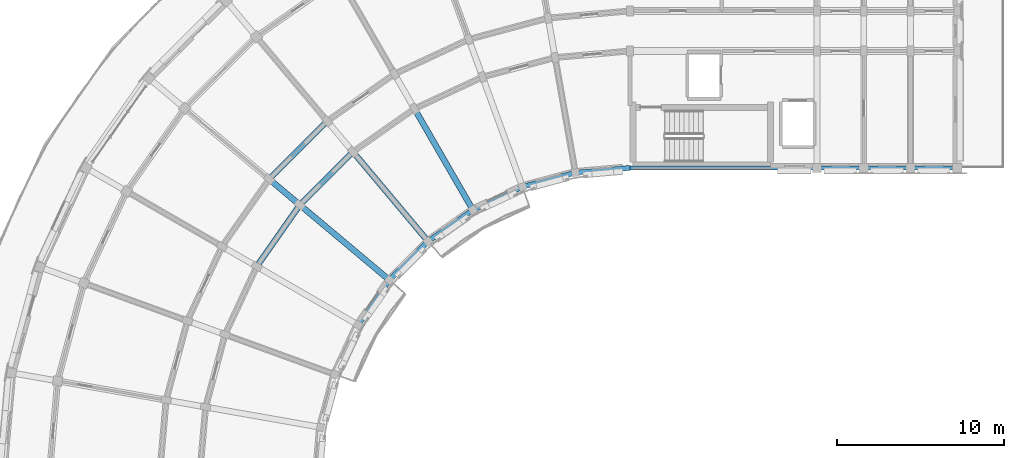
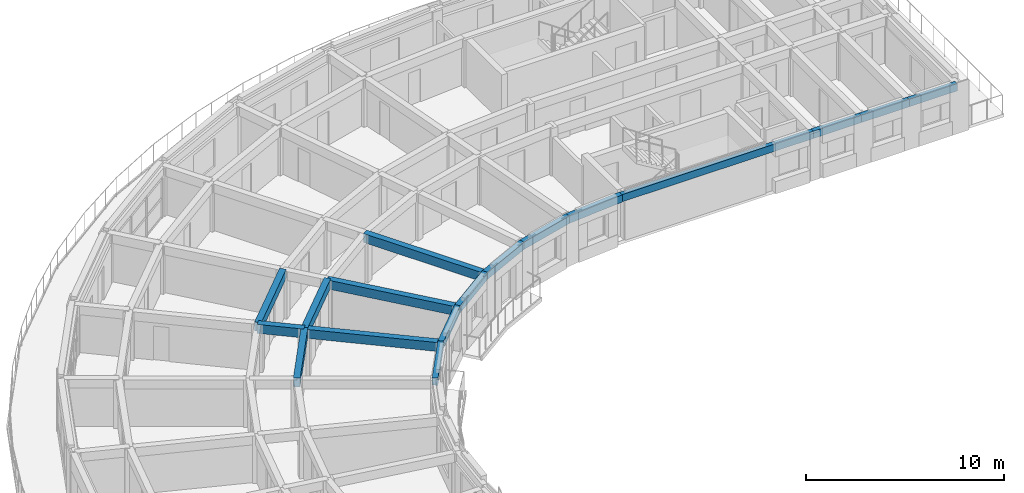
# One storey, part 3 of 16: 17 beams.
"""IFC4 building model written with IfcOpenShell, lengths in metres."""

from ifc_helpers import new_model, si_unit, direction, frame, origin, origin_2d, place, context, subcontext, project, spatial, rectangle, extrude, material, material_profile, profile_set, type_object, element, save


model = new_model("IFC4")

# Units and contexts
model_context = context("Model", 3, precision=1e-05, world=origin(), true_north=direction((0.0, 1.0)))
body_context = subcontext(model_context, "Body", "Model", "MODEL_VIEW")
ifc_project = project(units=[si_unit("LENGTHUNIT", "METRE"), si_unit("AREAUNIT", "SQUARE_METRE"), si_unit("VOLUMEUNIT", "CUBIC_METRE"), si_unit("PLANEANGLEUNIT", "RADIAN"), si_unit("MASSUNIT", "GRAM", prefix="KILO")], contexts=[model_context])

# Site, building, storey
site_placement = place(None, origin())
site = spatial("IfcSite", under=ifc_project, at=site_placement, CompositionType="ELEMENT")
building_placement = place(site_placement, origin())
building = spatial("IfcBuilding", under=site, at=building_placement, Name="Kiranvali Square Residences", CompositionType="ELEMENT")
storey_placement = place(building_placement, frame((0.0, 0.0, 46.5)))
storey = spatial("IfcBuildingStorey", under=building, at=storey_placement, Name="L14", CompositionType="ELEMENT", Elevation=46.5)

# Beams
ifc_material = material(Name="Concrete M40 (40 MPa)", Category="concrete")
ifc_material_profile_1 = material_profile(ifc_material, rectangle(XDim=0.35009765625, YDim=0.550048828125, at=origin_2d()), Name="RC 350x550")
ifc_profile_set_1 = profile_set([ifc_material_profile_1], Name="Concrete M40 (40 MPa)")
beam_type_1 = type_object("IfcBeamType", Name="BM-M40-350x550", PredefinedType="BEAM", material=ifc_profile_set_1)
beam_1_placement = place(storey_placement, frame((31.615966796875, 107.56396484375, 2.655029296875), z_axis=(-0.707106781187, -0.707106781187, 0.0), x_axis=(0.707106781187, -0.707106781187, 0.0)))
element("IfcBeam", 1, at=beam_1_placement, inside=storey, type_object=beam_type_1, Name="L14 beam BM-A-L14-C04-R1", PredefinedType="BEAM", context=body_context, shape_type="SweptSolid", body=[
    extrude(rectangle(XDim=0.35009765625, YDim=0.550048828125, at=origin_2d()), origin(), (0.0, 0.0, 1.0), 4.4970703125),
])
beam_2_placement = place(storey_placement, frame((30.073486328125, 109.40234375, 2.655029296875), z_axis=(-0.707106781187, -0.707106781187, 0.0), x_axis=(0.707106781187, -0.707106781187, 0.0)))
element("IfcBeam", 2, at=beam_2_placement, inside=storey, type_object=beam_type_1, Name="L14 beam BM-A-L14-C04-R2", PredefinedType="BEAM", context=body_context, shape_type="SweptSolid", body=[
    extrude(rectangle(XDim=0.35009765625, YDim=0.550048828125, at=origin_2d()), origin(), (0.0, 0.0, 1.0), 4.91552734375),
])
beam_3_placement = place(storey_placement, frame((28.43603515625, 104.384033203125, 2.655029296875), z_axis=(-0.573571637217, -0.819155404658, 0.0), x_axis=(0.819155404658, -0.573571637217, 0.0)))
element("IfcBeam", 3, at=beam_3_placement, inside=storey, type_object=beam_type_1, Name="L14 beam BM-A-L14-C05-R1", PredefinedType="BEAM", context=body_context, shape_type="SweptSolid", body=[
    extrude(rectangle(XDim=0.35009765625, YDim=0.550048828125, at=origin_2d()), origin(), (0.0, 0.0, 1.0), 4.497314453125),
])
for number, where, z_axis, x_axis, name in (
    (4, (38.800048828125, 104.081298828125, 2.655029296875), (-0.499995173006, 0.866028190633, 0.0), (-0.866028190633, -0.499995173006, 0.0), "L14 beam BM-A-L14-RAD03-01"),
    (5, (36.115478515625, 102.20166015625, 2.655029296875), (-0.642787931032, 0.766044173478, 0.0), (-0.766044173478, -0.642787931032, 0.0), "L14 beam BM-A-L14-RAD04-01"),
    (6, (33.79833984375, 99.884521484375, 2.655029296875), (-0.766044173478, 0.642787931032, 0.0), (-0.642787931032, -0.766044173478, 0.0), "L14 beam BM-A-L14-RAD05-01"),
):
    element("IfcBeam", number, at=place(storey_placement, frame(where, z_axis=z_axis, x_axis=x_axis)), inside=storey, type_object=beam_type_1, Name=name, PredefinedType="BEAM", context=body_context, shape_type="SweptSolid", body=[
        extrude(rectangle(XDim=0.35009765625, YDim=0.550048828125, at=origin_2d()), origin(), (0.0, 0.0, 1.0), 7.0),
    ])
beam_4_placement = place(storey_placement, frame((28.43603515625, 104.384033203125, 2.655029296875), z_axis=(-0.766065493671, 0.642762521781, 0.0), x_axis=(-0.642762521781, -0.766065493671, 0.0)))
element("IfcBeam", 7, at=beam_4_placement, inside=storey, type_object=beam_type_1, Name="L14 beam BM-A-L14-RAD05-12", PredefinedType="BEAM", context=body_context, shape_type="SweptSolid", body=[
    extrude(rectangle(XDim=0.35009765625, YDim=0.550048828125, at=origin_2d()), origin(), (0.0, 0.0, 1.0), 2.399658203125),
])
ifc_material_profile_2 = material_profile(ifc_material, rectangle(XDim=0.25, YDim=0.449951171875, at=origin_2d()), Name="RC 250x450")
ifc_profile_set_2 = profile_set([ifc_material_profile_2], Name="Concrete M40 (40 MPa)")
beam_type_2 = type_object("IfcBeamType", Name="SPN-M40-250x450", PredefinedType="SPANDREL", material=ifc_profile_set_2)
beam_5_placement = place(storey_placement, frame((48.199951171875, 106.60009765625, 2.705078125), z_axis=(1.0, 0.0, 0.0), x_axis=(0.0, 1.0, 0.0)))
element("IfcBeam", 8, at=beam_5_placement, inside=storey, type_object=beam_type_2, Name="L14 beam BM-A-L14-A1U0-R0", PredefinedType="SPANDREL", context=body_context, shape_type="SweptSolid", body=[
    extrude(rectangle(XDim=0.25, YDim=0.449951171875, at=origin_2d()), origin(), (0.0, 0.0, 1.0), 11.199951171875),
])
for number, where, z_axis, x_axis, name in (
    (9, (59.39990234375, 106.60009765625, 2.705078125), (1.0, 0.0, 0.0), (0.0, 1.0, 0.0), "L14 beam BM-A-L14-A1U1-R0"),
    (10, (62.199951171875, 106.60009765625, 2.705078125), (1.0, 0.0, 0.0), (0.0, 1.0, 0.0), "L14 beam BM-A-L14-A1U2-R0"),
    (11, (65.0, 106.60009765625, 2.705078125), (1.0, 0.0, 0.0), (0.0, 1.0, 0.0), "L14 beam BM-A-L14-A1U3-R0"),
):
    element("IfcBeam", number, at=place(storey_placement, frame(where, z_axis=z_axis, x_axis=x_axis)), inside=storey, type_object=beam_type_2, Name=name, PredefinedType="SPANDREL", context=body_context, shape_type="SweptSolid", body=[
        extrude(rectangle(XDim=0.25, YDim=0.449951171875, at=origin_2d()), origin(), (0.0, 0.0, 1.0), 2.800048828125),
    ])
ifc_material_profile_3 = material_profile(ifc_material, rectangle(XDim=0.300048828125, YDim=0.449951171875, at=origin_2d()), Name="RC 300x450")
ifc_profile_set_3 = profile_set([ifc_material_profile_3], Name="Concrete M40 (40 MPa)")
beam_type_3 = type_object("IfcBeamType", Name="SPN-M40-300x450", PredefinedType="SPANDREL", material=ifc_profile_set_3)
beam_6_placement = place(storey_placement, frame((48.199951171875, 106.60009765625, 2.705078125), z_axis=(-0.996194040944, -0.087163253657, 0.0), x_axis=(0.087163253657, -0.996194040944, 0.0)))
element("IfcBeam", 12, at=beam_6_placement, inside=storey, type_object=beam_type_3, Name="L14 beam BM-A-L14-C00-R0", PredefinedType="SPANDREL", context=body_context, shape_type="SweptSolid", body=[
    extrude(rectangle(XDim=0.300048828125, YDim=0.449951171875, at=origin_2d()), origin(), (0.0, 0.0, 1.0), 3.277099609375),
])
beam_7_placement = place(storey_placement, frame((44.935302734375, 106.314453125, 2.705078125), z_axis=(-0.965925105099, -0.258821736607, 0.0), x_axis=(0.258821736607, -0.965925105099, 0.0)))
element("IfcBeam", 13, at=beam_7_placement, inside=storey, type_object=beam_type_3, Name="L14 beam BM-A-L14-C01-R0", PredefinedType="SPANDREL", context=body_context, shape_type="SweptSolid", body=[
    extrude(rectangle(XDim=0.300048828125, YDim=0.449951171875, at=origin_2d()), origin(), (0.0, 0.0, 1.0), 3.27685546875),
])
for number, where, z_axis, x_axis, name in (
    (14, (41.77001953125, 105.46630859375, 2.705078125), (-0.90629730464, -0.422640740585, 0.0), (0.422640740585, -0.90629730464, 0.0), "L14 beam BM-A-L14-C02-R0"),
    (15, (38.800048828125, 104.081298828125, 2.705078125), (-0.81916891812, -0.573552337269, 0.0), (0.573552337269, -0.81916891812, 0.0), "L14 beam BM-A-L14-C03-R0"),
):
    element("IfcBeam", number, at=place(storey_placement, frame(where, z_axis=z_axis, x_axis=x_axis)), inside=storey, type_object=beam_type_3, Name=name, PredefinedType="SPANDREL", context=body_context, shape_type="SweptSolid", body=[
        extrude(rectangle(XDim=0.300048828125, YDim=0.449951171875, at=origin_2d()), origin(), (0.0, 0.0, 1.0), 3.277099609375),
    ])
beam_8_placement = place(storey_placement, frame((36.115478515625, 102.20166015625, 2.705078125), z_axis=(-0.707106781187, -0.707106781187, 0.0), x_axis=(0.707106781187, -0.707106781187, 0.0)))
element("IfcBeam", 16, at=beam_8_placement, inside=storey, type_object=beam_type_3, Name="L14 beam BM-A-L14-C04-R0", PredefinedType="SPANDREL", context=body_context, shape_type="SweptSolid", body=[
    extrude(rectangle(XDim=0.300048828125, YDim=0.449951171875, at=origin_2d()), origin(), (0.0, 0.0, 1.0), 3.27685546875),
])
beam_9_placement = place(storey_placement, frame((33.79833984375, 99.884521484375, 2.705078125), z_axis=(-0.573552337269, -0.81916891812, 0.0), x_axis=(0.81916891812, -0.573552337269, 0.0)))
element("IfcBeam", 17, at=beam_9_placement, inside=storey, type_object=beam_type_3, Name="L14 beam BM-A-L14-C05-R0", PredefinedType="SPANDREL", context=body_context, shape_type="SweptSolid", body=[
    extrude(rectangle(XDim=0.300048828125, YDim=0.449951171875, at=origin_2d()), origin(), (0.0, 0.0, 1.0), 3.277099609375),
])

save(model, "model.ifc")
